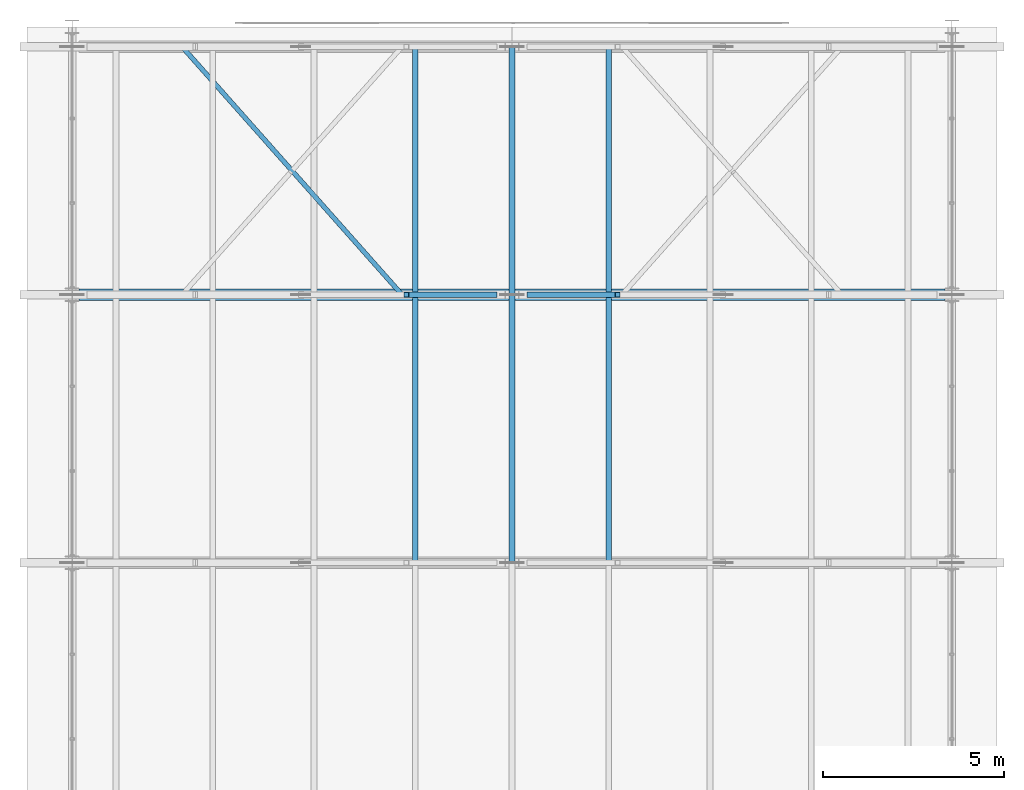
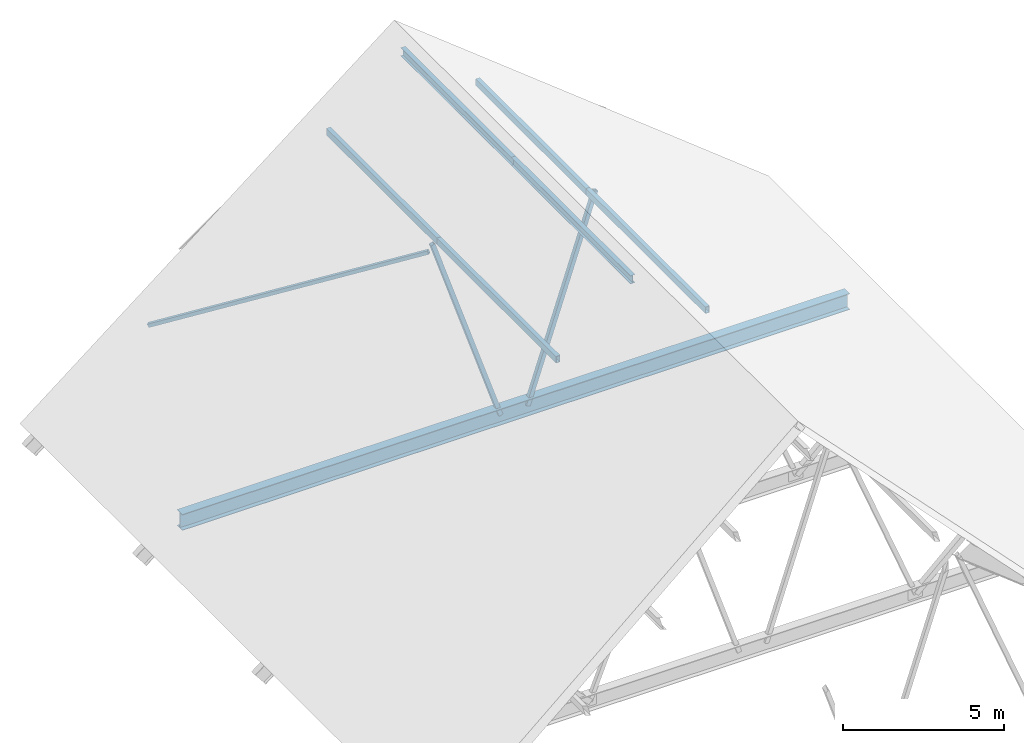
# One storey, part 35 of 44: 10 members.
"""IFC4 building model written with IfcOpenShell, lengths in metres."""

from ifc_helpers import new_model, si_unit, direction, frame, origin, origin_2d, place, context, subcontext, project, spatial, hollow_rectangle, i_section, extrude, material, material_profile, profile_set, type_object, element, save


model = new_model("IFC4")

# Units and contexts
model_context = context("Model", 3, precision=1e-05, world=origin(), true_north=direction((0.0, 1.0)))
body_context = subcontext(model_context, "Body", "Model", "MODEL_VIEW")
ifc_project = project(units=[si_unit("LENGTHUNIT", "METRE"), si_unit("AREAUNIT", "SQUARE_METRE"), si_unit("VOLUMEUNIT", "CUBIC_METRE"), si_unit("PLANEANGLEUNIT", "RADIAN"), si_unit("MASSUNIT", "GRAM", prefix="KILO")], contexts=[model_context])

# Site, building, storey
site_placement = place(None, origin())
site = spatial("IfcSite", under=ifc_project, at=site_placement, CompositionType="ELEMENT")
building_placement = place(site_placement, origin())
building = spatial("IfcBuilding", under=site, at=building_placement, Name="Cimatlan Art Gallery", CompositionType="ELEMENT")
storey_placement = place(building_placement, frame((0.0, 0.0, 26.39990234375)))
storey = spatial("IfcBuildingStorey", under=building, at=storey_placement, Name="Roof", CompositionType="ELEMENT", Elevation=26.39990234375)

# Members
ifc_material_1 = material(Name="Steel ASTM A500 Grade C", Category="steel")
ifc_material_profile_1 = material_profile(ifc_material_1, hollow_rectangle(XDim=0.14990234375, YDim=0.25, WallThickness=0.010009765625, at=origin_2d()), Name="HSS250X150X10")
ifc_profile_set_1 = profile_set([ifc_material_profile_1], Name="Steel ASTM A500 Grade C")
member_type_1 = type_object("IfcMemberType", Name="MBR-PUR-C250", PredefinedType="PURLIN", material=ifc_profile_set_1)
for number, where, z_axis, x_axis, name in (
    (1, (84.376953125, 68.300048828125, 8.72802734375), (0.0, 1.0, 0.0), (-1.0, 0.0, 0.0), "PUR-V1-B7-W1"),
    (2, (89.722900390625, 68.300048828125, 8.72802734375), (0.0, 1.0, 0.0), (-1.0, 0.0, 0.0), "PUR-V1-B7-E1"),
):
    element("IfcMember", number, at=place(storey_placement, frame(where, z_axis=z_axis, x_axis=x_axis)), inside=storey, type_object=member_type_1, Name=name, PredefinedType="PURLIN", context=body_context, shape_type="SweptSolid", body=[
        extrude(hollow_rectangle(XDim=0.14990234375, YDim=0.25, WallThickness=0.010009765625, at=origin_2d()), origin(), (0.0, 0.0, 1.0), 7.39990234375),
    ])
for number, where, z_axis, x_axis, name in (
    (3, (84.376953125, 75.699951171875, 8.72802734375), (0.0, 1.0, 0.0), (-1.0, 0.0, 0.0), "PUR-V1-B8-W1"),
    (4, (89.722900390625, 75.699951171875, 8.72802734375), (0.0, 1.0, 0.0), (-1.0, 0.0, 0.0), "PUR-V1-B8-E1"),
):
    element("IfcMember", number, at=place(storey_placement, frame(where, z_axis=z_axis, x_axis=x_axis)), inside=storey, type_object=member_type_1, Name=name, PredefinedType="PURLIN", context=body_context, shape_type="SweptSolid", body=[
        extrude(hollow_rectangle(XDim=0.14990234375, YDim=0.25, WallThickness=0.010009765625, at=origin_2d()), origin(), (0.0, 0.0, 1.0), 6.85009765625),
    ])
ifc_material_2 = material(Name="Steel ASTM A992 Grade 50", Category="steel")
ifc_material_profile_2 = material_profile(ifc_material_2, i_section(OverallWidth=0.1650390625, OverallDepth=0.31005859375, WebThickness=0.005859375, FlangeThickness=0.009765625, at=origin_2d()), Name="W12X26")
ifc_profile_set_2 = profile_set([ifc_material_profile_2], Name="Steel ASTM A992 Grade 50")
member_type_2 = type_object("IfcMemberType", Name="MBR-PUR-W12", PredefinedType="PURLIN", material=ifc_profile_set_2)
member_1_placement = place(storey_placement, frame((87.050048828125, 68.300048828125, 10.820068359375), z_axis=(0.0, 1.0, 0.0), x_axis=(-1.0, 0.0, 0.0)))
element("IfcMember", 5, at=member_1_placement, inside=storey, type_object=member_type_2, Name="PUR-V1-B7-RDG", PredefinedType="PURLIN", context=body_context, shape_type="SweptSolid", body=[
    extrude(i_section(OverallWidth=0.1650390625, OverallDepth=0.31005859375, WebThickness=0.005859375, FlangeThickness=0.009765625, at=origin_2d()), origin(), (0.0, 0.0, 1.0), 7.39990234375),
])
member_2_placement = place(storey_placement, frame((87.050048828125, 75.699951171875, 10.820068359375), z_axis=(0.0, 1.0, 0.0), x_axis=(-1.0, 0.0, 0.0)))
element("IfcMember", 6, at=member_2_placement, inside=storey, type_object=member_type_2, Name="PUR-V1-B8-RDG", PredefinedType="PURLIN", context=body_context, shape_type="SweptSolid", body=[
    extrude(i_section(OverallWidth=0.1650390625, OverallDepth=0.31005859375, WebThickness=0.005859375, FlangeThickness=0.009765625, at=origin_2d()), origin(), (0.0, 0.0, 1.0), 6.85009765625),
])
ifc_material_profile_3 = material_profile(ifc_material_1, hollow_rectangle(XDim=0.1298828125, YDim=0.1298828125, WallThickness=0.008056640625, at=origin_2d()), Name="HSS130X130X8")
ifc_profile_set_3 = profile_set([ifc_material_profile_3], Name="Steel ASTM A500 Grade C")
member_type_3 = type_object("IfcMemberType", Name="MBR-TRS-BRACE", PredefinedType="BRACE", material=ifc_profile_set_3)
member_3_placement = place(storey_placement, frame((84.012451171875, 75.699951171875, 8.440185546875), z_axis=(-0.587646604667, 0.662628639382, -0.464321821901), x_axis=(-0.748169427916, -0.663507729519, 0.0)))
element("IfcMember", 7, at=member_3_placement, inside=storey, type_object=member_type_3, Name="BRC-V1-B8-W1", PredefinedType="BRACE", context=body_context, shape_type="SweptSolid", body=[
    extrude(hollow_rectangle(XDim=0.1298828125, YDim=0.1298828125, WallThickness=0.008056640625, at=origin_2d()), origin(), (0.0, 0.0, 1.0), 10.337646484375),
])
ifc_material_profile_4 = material_profile(ifc_material_1, hollow_rectangle(XDim=0.14990234375, YDim=0.14990234375, WallThickness=0.008056640625, at=origin_2d()), Name="HSS150X150X8")
ifc_profile_set_4 = profile_set([ifc_material_profile_4], Name="Steel ASTM A500 Grade C")
member_type_4 = type_object("IfcMemberType", Name="MBR-TRS-DIAG-2", PredefinedType="BRACE", material=ifc_profile_set_4)
for number, where, z_axis, x_axis, name in (
    (8, (84.134033203125, 75.699951171875, 8.696044921875), (0.315989644699, 0.0, -0.948762638621), (0.0, 1.0, 0.0), "TRS-08-DW-4"),
    (9, (89.966064453125, 75.699951171875, 8.696044921875), (-0.316018222412, 0.0, -0.948753120208), (0.0, -1.0, 0.0), "TRS-08-DE-4"),
):
    element("IfcMember", number, at=place(storey_placement, frame(where, z_axis=z_axis, x_axis=x_axis)), inside=storey, type_object=member_type_4, Name=name, PredefinedType="BRACE", context=body_context, shape_type="SweptSolid", body=[
        extrude(hollow_rectangle(XDim=0.14990234375, YDim=0.14990234375, WallThickness=0.008056640625, at=origin_2d()), origin(), (0.0, 0.0, 1.0), 7.68994140625),
    ])
ifc_material_profile_5 = material_profile(ifc_material_2, i_section(OverallWidth=0.323974609375, OverallDepth=0.611083984375, WebThickness=0.0126953125, FlangeThickness=0.01904296875, at=origin_2d()), Name="W24X104")
ifc_profile_set_5 = profile_set([ifc_material_profile_5], Name="Steel ASTM A992 Grade 50")
member_type_5 = type_object("IfcMemberType", Name="MBR-TRS-TIE", PredefinedType="CHORD", material=ifc_profile_set_5)
member_4_placement = place(storey_placement, frame((75.096923828125, 75.699951171875, 1.400146484375), z_axis=(1.0, 0.0, 0.0), x_axis=(0.0, 1.0, 0.0)))
element("IfcMember", 10, at=member_4_placement, inside=storey, type_object=member_type_5, Name="TRS-08-TIE", PredefinedType="CHORD", context=body_context, shape_type="SweptSolid", body=[
    extrude(i_section(OverallWidth=0.323974609375, OverallDepth=0.611083984375, WebThickness=0.0126953125, FlangeThickness=0.01904296875, at=origin_2d()), origin(), (0.0, 0.0, 1.0), 23.906005859375),
])

save(model, "model.ifc")
